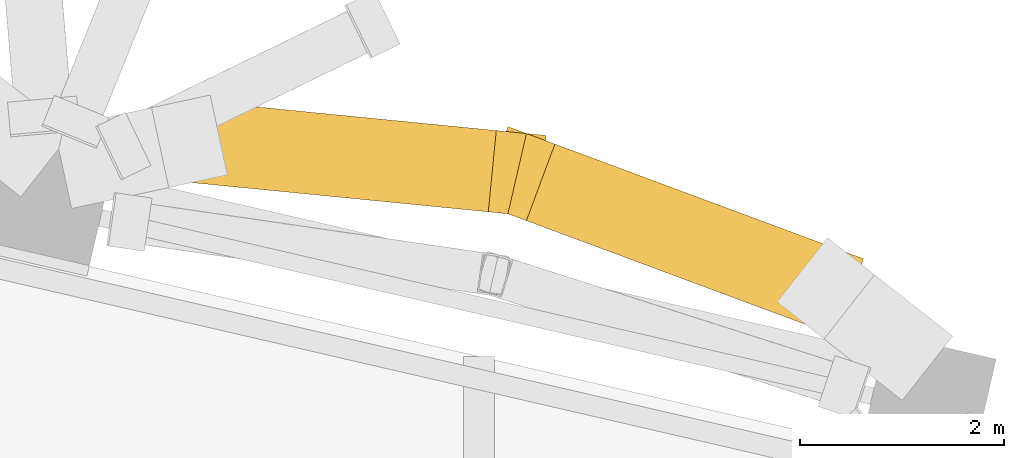
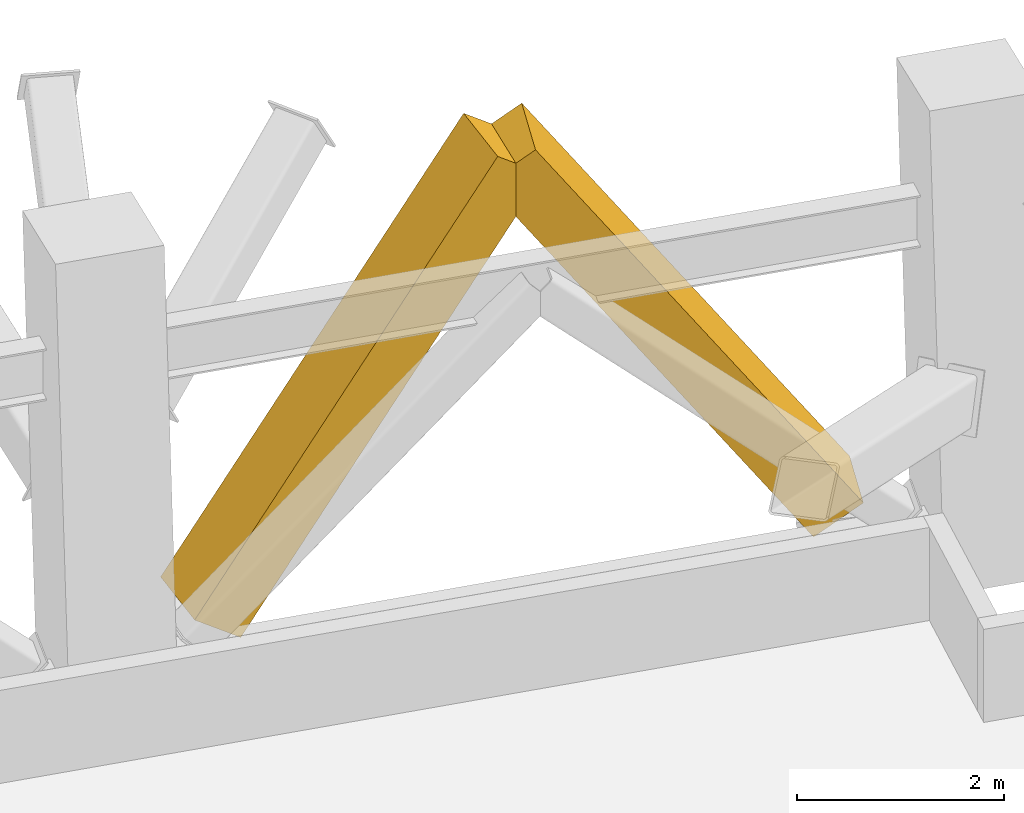
# One storey, part 19 of 19: 2 coverings.
"""IFC4 building model written with IfcOpenShell, lengths in metres."""

from ifc_helpers import new_model, si_unit, direction, frame, origin, origin_2d, place, context, subcontext, project, spatial, rectangle, extrude, material, material_profile, profile_set, type_object, element, save


model = new_model("IFC4")

# Units and contexts
model_context = context("Model", 3, precision=1e-05, world=origin(), true_north=direction((0.0, 1.0)))
body_context = subcontext(model_context, "Body", "Model", "MODEL_VIEW")
ifc_project = project(units=[si_unit("LENGTHUNIT", "METRE"), si_unit("AREAUNIT", "SQUARE_METRE"), si_unit("VOLUMEUNIT", "CUBIC_METRE"), si_unit("PLANEANGLEUNIT", "RADIAN"), si_unit("MASSUNIT", "GRAM", prefix="KILO")], contexts=[model_context])

# Site, building, storey
site_placement = place(None, origin())
site = spatial("IfcSite", under=ifc_project, at=site_placement, CompositionType="ELEMENT")
building_placement = place(site_placement, origin())
building = spatial("IfcBuilding", under=site, at=building_placement, Name="Ogive Exchange Tower", CompositionType="ELEMENT")
storey_placement = place(building_placement, frame((0.0, 0.0, 297.60009765625)))
storey = spatial("IfcBuildingStorey", under=building, at=storey_placement, Name="L65", CompositionType="ELEMENT", Elevation=297.60009765625)

# Coverings
ifc_material = material(Name="Precast concrete C50/60", Category="concrete")
ifc_material_profile = material_profile(ifc_material, rectangle(XDim=0.800048828125, YDim=0.60009765625, at=origin_2d()), Name="RIB 800 x 600")
ifc_profile_set = profile_set([ifc_material_profile], Name="Precast concrete C50/60")
covering_type = type_object("IfcCoveringType", Name="Precast tracery rib 800 x 600 C50/60", PredefinedType="CLADDING", material=ifc_profile_set)
covering_1_placement = place(storey_placement, frame((33.076904296875, 49.217041015625, 0.349853515625), z_axis=(-0.54153643081, 0.201286003721, 0.816224380187), x_axis=(-0.348405401065, -0.937343947817, 0.0)))
element("IfcCovering", 1, at=covering_1_placement, inside=storey, type_object=covering_type, Name="Tracery rib 18a", PredefinedType="CLADDING", context=body_context, shape_type="SweptSolid", body=[
    extrude(rectangle(XDim=0.800048828125, YDim=0.60009765625, at=origin_2d()), origin(), (0.0, 0.0, 1.0), 5.574462890625),
])
covering_2_placement = place(storey_placement, frame((26.85205078125, 50.655029296875, 0.349853515625), z_axis=(0.575068653939, -0.05666607053, 0.816140306386), x_axis=(0.098062990514, 0.995180209757, 0.0)))
element("IfcCovering", 2, at=covering_2_placement, inside=storey, type_object=covering_type, Name="Tracery rib 18b", PredefinedType="CLADDING", context=body_context, shape_type="SweptSolid", body=[
    extrude(rectangle(XDim=0.800048828125, YDim=0.60009765625, at=origin_2d()), origin(), (0.0, 0.0, 1.0), 5.5751953125),
])

save(model, "model.ifc")
